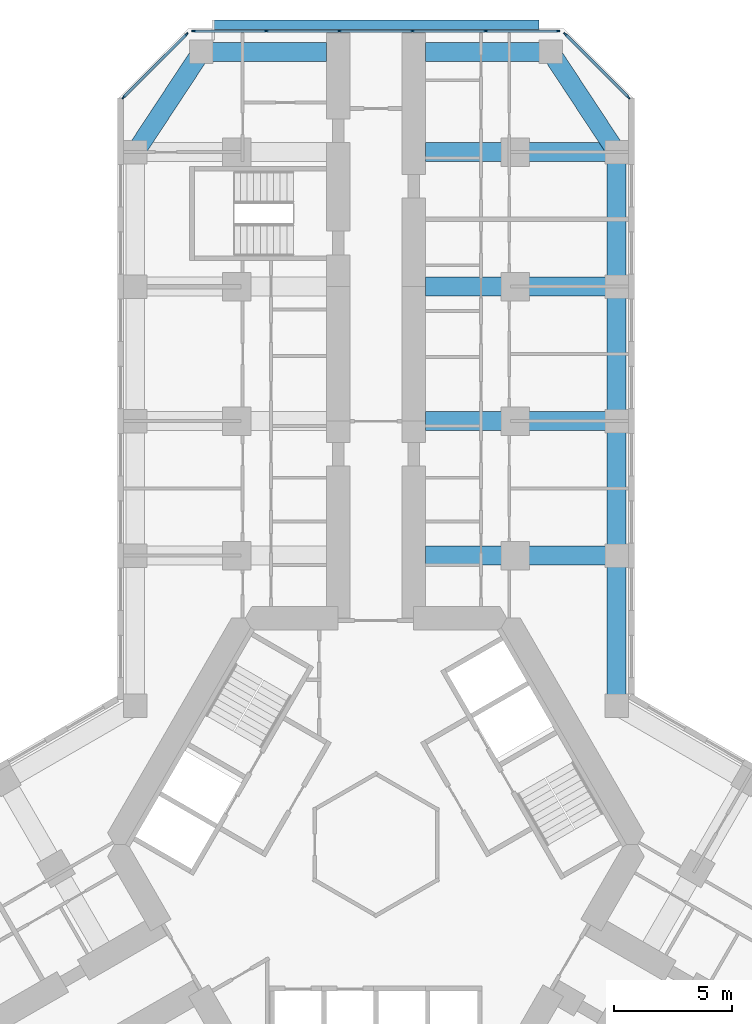
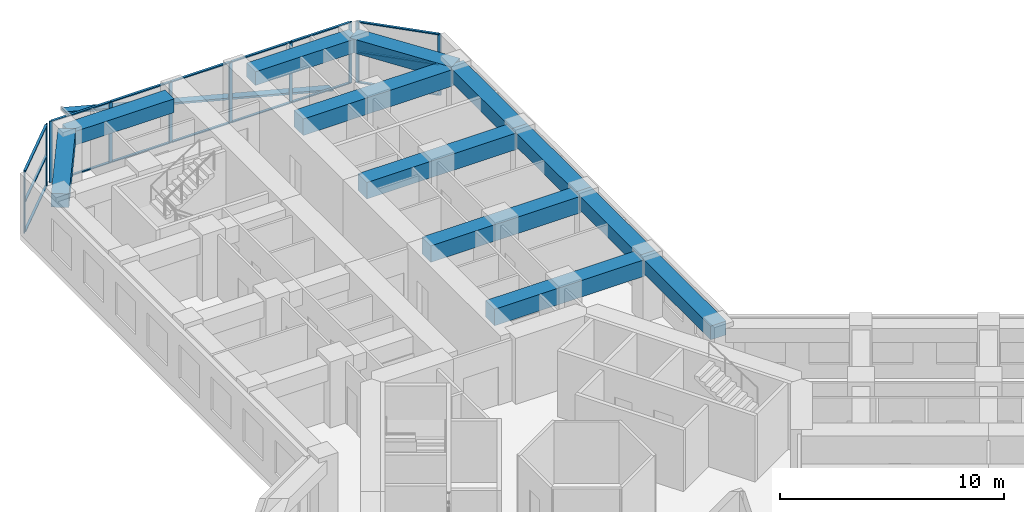
# One storey, part 7 of 21: 27 members, 12 beams, 3 elements without a shape of their own.
"""IFC4 building model written with IfcOpenShell, lengths in metres."""

from ifc_helpers import new_model, si_unit, direction, frame, origin, origin_2d, place, context, subcontext, project, spatial, rectangle, extrude, material, material_profile, profile_set, type_object, element, aggregate, save


model = new_model("IFC4")

# Units and contexts
model_context = context("Model", 3, precision=1e-05, world=origin(), true_north=direction((0.0, 1.0)))
body_context = subcontext(model_context, "Body", "Model", "MODEL_VIEW")
ifc_project = project(units=[si_unit("LENGTHUNIT", "METRE"), si_unit("AREAUNIT", "SQUARE_METRE"), si_unit("VOLUMEUNIT", "CUBIC_METRE"), si_unit("PLANEANGLEUNIT", "RADIAN"), si_unit("MASSUNIT", "GRAM", prefix="KILO")], contexts=[model_context])

# Site, building, storey
site_placement = place(None, origin())
site = spatial("IfcSite", under=ifc_project, at=site_placement, CompositionType="ELEMENT")
building_placement = place(site_placement, origin())
building = spatial("IfcBuilding", under=site, at=building_placement, Name="Kosmar Iwan School Tower", CompositionType="ELEMENT")
storey_placement = place(building_placement, frame((0.0, 0.0, 53.800048828125)))
storey = spatial("IfcBuildingStorey", under=building, at=storey_placement, Name="L12", CompositionType="ELEMENT", Elevation=53.800048828125)

# Member
ifc_material_1 = material(Name="Black anodised aluminium", Category="aluminium")
ifc_material_profile_1 = material_profile(ifc_material_1, rectangle(XDim=0.10009765625, YDim=0.39990234375, at=origin_2d()), Name="FIN 100x400")
ifc_profile_set_1 = profile_set([ifc_material_profile_1], Name="Black anodised aluminium")
member_type_1 = type_object("IfcMemberType", Name="Diagonal fin 100x400", PredefinedType="USERDEFINED", material=ifc_profile_set_1)
member_1_placement = place(storey_placement, frame((6.898193359375, 34.75, -0.150146484375), z_axis=(-0.967599450335, 0.0, 0.252490205179), x_axis=(0.252490205179, 0.0, 0.967599450335)))
element("IfcMember", 1, at=member_1_placement, inside=storey, type_object=member_type_1, Name="Diagonal fin L12-F08", ObjectType="FIN", PredefinedType="USERDEFINED", context=body_context, shape_type="SweptSolid", body=[
    extrude(rectangle(XDim=0.10009765625, YDim=0.39990234375, at=origin_2d()), origin(), (0.0, 0.0, 1.0), 14.25830078125),
])

# Curtain wall, members
ifc_material_2 = material(Name="Dark glass in black aluminium frame", Category="aluminium")
curtain_wall_type_1 = type_object("IfcCurtainWallType", Name="Chamfer curtain wall dark glass", PredefinedType="USERDEFINED", material=ifc_material_2)
curtain_wall_1_placement = place(storey_placement, origin())
curtain_wall_1 = element("IfcCurtainWall", 2, at=curtain_wall_1_placement, inside=storey, type_object=curtain_wall_type_1, Name="Curtain wall L12-F07", ObjectType="FACETED CURTAIN WALL", PredefinedType="USERDEFINED")
ifc_material_3 = material(Name="Black anodised aluminium", Category="aluminium")
ifc_material_profile_2 = material_profile(ifc_material_3, rectangle(XDim=0.06005859375, YDim=0.159912109375, at=origin_2d()), Name="MULLION 60x160")
ifc_profile_set_2 = profile_set([ifc_material_profile_2], Name="Black anodised aluminium")
member_type_2 = type_object("IfcMemberType", Name="Mullion 60x160", PredefinedType="MULLION", material=ifc_profile_set_2)
member_2_placement = place(storey_placement, frame((10.69775390625, 31.675537109375, 0.0), z_axis=(0.0, 0.0, 1.0), x_axis=(-0.707106781187, -0.707106781187, 0.0)))
member_2 = element("IfcMember", 3, at=member_2_placement, type_object=member_type_2, Name="CW2 mullion 1", PredefinedType="MULLION", context=body_context, shape_type="SweptSolid", body=[
    extrude(rectangle(XDim=0.06005859375, YDim=0.159912109375, at=origin_2d()), origin(), (0.0, 0.0, 1.0), 3.349853515625),
])
member_3_placement = place(storey_placement, frame((8.025390625, 34.34765625, 0.0), z_axis=(0.0, 0.0, 1.0), x_axis=(-0.707106781187, -0.707106781187, 0.0)))
member_3 = element("IfcMember", 4, at=member_3_placement, type_object=member_type_2, Name="CW2 mullion 2", PredefinedType="MULLION", context=body_context, shape_type="SweptSolid", body=[
    extrude(rectangle(XDim=0.06005859375, YDim=0.159912109375, at=origin_2d()), origin(), (0.0, 0.0, 1.0), 3.349853515625),
])

ifc_material_4 = material(Name="Dark glass in black aluminium frame", Category="aluminium")
curtain_wall_type_2 = type_object("IfcCurtainWallType", Name="Tower curtain wall dark glass", PredefinedType="USERDEFINED", material=ifc_material_4)
curtain_wall_2_placement = place(storey_placement, origin())
curtain_wall_2 = element("IfcCurtainWall", 5, at=curtain_wall_2_placement, inside=storey, type_object=curtain_wall_type_2, Name="Curtain wall L12-F08", ObjectType="UNITISED CURTAIN WALL", PredefinedType="USERDEFINED")
member_4_placement = place(storey_placement, frame((7.71826171875, 34.47509765625, 0.0), z_axis=(0.0, 0.0, 1.0), x_axis=(0.0, -1.0, 0.0)))
member_4 = element("IfcMember", 6, at=member_4_placement, type_object=member_type_2, Name="CW1 mullion 1", PredefinedType="MULLION", context=body_context, shape_type="SweptSolid", body=[
    extrude(rectangle(XDim=0.06005859375, YDim=0.159912109375, at=origin_2d()), origin(), (0.0, 0.0, 1.0), 3.349853515625),
])
member_5_placement = place(storey_placement, frame((4.64892578125, 34.47509765625, 0.0), z_axis=(0.0, 0.0, 1.0), x_axis=(0.0, -1.0, 0.0)))
member_5 = element("IfcMember", 7, at=member_5_placement, type_object=member_type_2, Name="CW1 mullion 2", PredefinedType="MULLION", context=body_context, shape_type="SweptSolid", body=[
    extrude(rectangle(XDim=0.06005859375, YDim=0.159912109375, at=origin_2d()), origin(), (0.0, 0.0, 1.0), 3.349853515625),
])
member_6_placement = place(storey_placement, frame((1.549560546875, 34.47509765625, 0.0), z_axis=(0.0, 0.0, 1.0), x_axis=(0.0, -1.0, 0.0)))
member_6 = element("IfcMember", 8, at=member_6_placement, type_object=member_type_2, Name="CW1 mullion 3", PredefinedType="MULLION", context=body_context, shape_type="SweptSolid", body=[
    extrude(rectangle(XDim=0.06005859375, YDim=0.159912109375, at=origin_2d()), origin(), (0.0, 0.0, 1.0), 3.349853515625),
])
member_7_placement = place(storey_placement, frame((-1.549560546875, 34.47509765625, 0.0), z_axis=(0.0, 0.0, 1.0), x_axis=(0.0, -1.0, 0.0)))
member_7 = element("IfcMember", 9, at=member_7_placement, type_object=member_type_2, Name="CW1 mullion 4", PredefinedType="MULLION", context=body_context, shape_type="SweptSolid", body=[
    extrude(rectangle(XDim=0.06005859375, YDim=0.159912109375, at=origin_2d()), origin(), (0.0, 0.0, 1.0), 3.349853515625),
])
member_8_placement = place(storey_placement, frame((-4.64892578125, 34.47509765625, 0.0), z_axis=(0.0, 0.0, 1.0), x_axis=(0.0, -1.0, 0.0)))
member_8 = element("IfcMember", 10, at=member_8_placement, type_object=member_type_2, Name="CW1 mullion 5", PredefinedType="MULLION", context=body_context, shape_type="SweptSolid", body=[
    extrude(rectangle(XDim=0.06005859375, YDim=0.159912109375, at=origin_2d()), origin(), (0.0, 0.0, 1.0), 3.349853515625),
])
member_9_placement = place(storey_placement, frame((-7.71826171875, 34.47509765625, 0.0), z_axis=(0.0, 0.0, 1.0), x_axis=(0.0, -1.0, 0.0)))
member_9 = element("IfcMember", 11, at=member_9_placement, type_object=member_type_2, Name="CW1 mullion 6", PredefinedType="MULLION", context=body_context, shape_type="SweptSolid", body=[
    extrude(rectangle(XDim=0.06005859375, YDim=0.159912109375, at=origin_2d()), origin(), (0.0, 0.0, 1.0), 3.349853515625),
])

curtain_wall_3_placement = place(storey_placement, origin())
curtain_wall_3 = element("IfcCurtainWall", 12, at=curtain_wall_3_placement, inside=storey, type_object=curtain_wall_type_1, Name="Curtain wall L12-F09", ObjectType="FACETED CURTAIN WALL", PredefinedType="USERDEFINED")
member_10_placement = place(storey_placement, frame((-8.025390625, 34.34765625, 0.0), z_axis=(0.0, 0.0, 1.0), x_axis=(0.707106781187, -0.707106781187, 0.0)))
member_10 = element("IfcMember", 13, at=member_10_placement, type_object=member_type_2, Name="CW2 mullion 1", PredefinedType="MULLION", context=body_context, shape_type="SweptSolid", body=[
    extrude(rectangle(XDim=0.06005859375, YDim=0.159912109375, at=origin_2d()), origin(), (0.0, 0.0, 1.0), 3.349853515625),
])
member_11_placement = place(storey_placement, frame((-10.69775390625, 31.675537109375, 0.0), z_axis=(0.0, 0.0, 1.0), x_axis=(0.707106781187, -0.707106781187, 0.0)))
member_11 = element("IfcMember", 14, at=member_11_placement, type_object=member_type_2, Name="CW2 mullion 2", PredefinedType="MULLION", context=body_context, shape_type="SweptSolid", body=[
    extrude(rectangle(XDim=0.06005859375, YDim=0.159912109375, at=origin_2d()), origin(), (0.0, 0.0, 1.0), 3.349853515625),
])

# Beams
ifc_material_5 = material(Name="Concrete C50/60", Category="concrete")
ifc_material_profile_3 = material_profile(ifc_material_5, rectangle(XDim=0.800048828125, YDim=0.75, at=origin_2d()), Name="RC 800x750")
ifc_profile_set_3 = profile_set([ifc_material_profile_3], Name="Concrete C50/60")
beam_type_1 = type_object("IfcBeamType", Name="RC edge beam 800x750", PredefinedType="BEAM", material=ifc_profile_set_3)
beam_1_placement = place(storey_placement, frame((10.199951171875, 5.888916015625, 2.974853515625), z_axis=(0.0, 1.0, 0.0), x_axis=(-1.0, 0.0, 0.0)))
element("IfcBeam", 15, at=beam_1_placement, inside=storey, type_object=beam_type_1, Name="Edge beam AR1", PredefinedType="BEAM", context=body_context, shape_type="SweptSolid", body=[
    extrude(rectangle(XDim=0.800048828125, YDim=0.75, at=origin_2d()), origin(), (0.0, 0.0, 1.0), 6.361083984375),
])
for number, where, z_axis, x_axis, name in (
    (16, (10.199951171875, 12.25, 2.974853515625), (0.0, 1.0, 0.0), (-1.0, 0.0, 0.0), "Edge beam AR2"),
    (17, (10.199951171875, 17.949951171875, 2.974853515625), (0.0, 1.0, 0.0), (-1.0, 0.0, 0.0), "Edge beam AR3"),
):
    element("IfcBeam", number, at=place(storey_placement, frame(where, z_axis=z_axis, x_axis=x_axis)), inside=storey, type_object=beam_type_1, Name=name, PredefinedType="BEAM", context=body_context, shape_type="SweptSolid", body=[
        extrude(rectangle(XDim=0.800048828125, YDim=0.75, at=origin_2d()), origin(), (0.0, 0.0, 1.0), 5.699951171875),
    ])
beam_2_placement = place(storey_placement, frame((10.199951171875, 23.64990234375, 2.974853515625), z_axis=(0.0, 1.0, 0.0), x_axis=(-1.0, 0.0, 0.0)))
element("IfcBeam", 18, at=beam_2_placement, inside=storey, type_object=beam_type_1, Name="Edge beam AR4", PredefinedType="BEAM", context=body_context, shape_type="SweptSolid", body=[
    extrude(rectangle(XDim=0.800048828125, YDim=0.75, at=origin_2d()), origin(), (0.0, 0.0, 1.0), 5.7001953125),
])
ifc_material_6 = material(Name="Concrete C50/60", Category="concrete")
ifc_material_profile_4 = material_profile(ifc_material_6, rectangle(XDim=0.800048828125, YDim=0.75, at=origin_2d()), Name="RC 800x750")
ifc_profile_set_4 = profile_set([ifc_material_profile_4], Name="Concrete C50/60")
beam_type_2 = type_object("IfcBeamType", Name="RC tip beam 800x750", PredefinedType="BEAM", material=ifc_profile_set_4)
beam_3_placement = place(storey_placement, frame((-10.199951171875, 29.35009765625, 2.974853515625), z_axis=(0.550164383043, 0.835056376319, 0.0), x_axis=(-0.835056376319, 0.550164383043, 0.0)))
element("IfcBeam", 19, at=beam_3_placement, inside=storey, type_object=beam_type_2, Name="Tip beam AL", PredefinedType="BEAM", context=body_context, shape_type="SweptSolid", body=[
    extrude(rectangle(XDim=0.800048828125, YDim=0.75, at=origin_2d()), origin(), (0.0, 0.0, 1.0), 5.08935546875),
])
beam_4_placement = place(storey_placement, frame((-7.39990234375, 33.60009765625, 2.974853515625), z_axis=(1.0, 0.0, 0.0), x_axis=(0.0, 1.0, 0.0)))
element("IfcBeam", 20, at=beam_4_placement, inside=storey, type_object=beam_type_2, Name="Tip beam AL to corridor wall", PredefinedType="BEAM", context=body_context, shape_type="SweptSolid", body=[
    extrude(rectangle(XDim=0.800048828125, YDim=0.75, at=origin_2d()), origin(), (0.0, 0.0, 1.0), 5.2998046875),
])
beam_5_placement = place(storey_placement, frame((10.199951171875, 29.35009765625, 2.974853515625), z_axis=(-0.550164383043, 0.835056376319, 0.0), x_axis=(-0.835056376319, -0.550164383043, 0.0)))
element("IfcBeam", 21, at=beam_5_placement, inside=storey, type_object=beam_type_2, Name="Tip beam AR", PredefinedType="BEAM", context=body_context, shape_type="SweptSolid", body=[
    extrude(rectangle(XDim=0.800048828125, YDim=0.75, at=origin_2d()), origin(), (0.0, 0.0, 1.0), 5.08935546875),
])
beam_6_placement = place(storey_placement, frame((7.39990234375, 33.60009765625, 2.974853515625), z_axis=(-1.0, 0.0, 0.0), x_axis=(0.0, -1.0, 0.0)))
element("IfcBeam", 22, at=beam_6_placement, inside=storey, type_object=beam_type_2, Name="Tip beam AR to corridor wall", PredefinedType="BEAM", context=body_context, shape_type="SweptSolid", body=[
    extrude(rectangle(XDim=0.800048828125, YDim=0.75, at=origin_2d()), origin(), (0.0, 0.0, 1.0), 5.2998046875),
])
ifc_material_7 = material(Name="Concrete C50/60", Category="concrete")
ifc_material_profile_5 = material_profile(ifc_material_7, rectangle(XDim=0.800048828125, YDim=0.89990234375, at=origin_2d()), Name="RC 800x900")
ifc_profile_set_5 = profile_set([ifc_material_profile_5], Name="Concrete C50/60")
beam_type_3 = type_object("IfcBeamType", Name="RC transverse beam 800x900", PredefinedType="BEAM", material=ifc_profile_set_5)
for number, where, z_axis, x_axis, name in (
    (23, (10.199951171875, 12.25, 2.89990234375), (-1.0, 0.0, 0.0), (0.0, -1.0, 0.0), "Transverse beam AR1"),
    (24, (10.199951171875, 17.949951171875, 2.89990234375), (-1.0, 0.0, 0.0), (0.0, -1.0, 0.0), "Transverse beam AR2"),
    (25, (10.199951171875, 23.64990234375, 2.89990234375), (-1.0, 0.0, 0.0), (0.0, -1.0, 0.0), "Transverse beam AR3"),
    (26, (10.199951171875, 29.35009765625, 2.89990234375), (-1.0, 0.0, 0.0), (0.0, -1.0, 0.0), "Transverse beam AR4"),
):
    element("IfcBeam", number, at=place(storey_placement, frame(where, z_axis=z_axis, x_axis=x_axis)), inside=storey, type_object=beam_type_3, Name=name, PredefinedType="BEAM", context=body_context, shape_type="SweptSolid", body=[
        extrude(rectangle(XDim=0.800048828125, YDim=0.89990234375, at=origin_2d()), origin(), (0.0, 0.0, 1.0), 8.099853515625),
    ])

# Member
ifc_material_8 = material(Name="Black anodised aluminium", Category="aluminium")
ifc_material_profile_6 = material_profile(ifc_material_8, rectangle(XDim=0.1201171875, YDim=0.06005859375, at=origin_2d()), Name="TRANSOM 60x120")
ifc_profile_set_6 = profile_set([ifc_material_profile_6], Name="Black anodised aluminium")
member_type_3 = type_object("IfcMemberType", Name="Transom 60x120", PredefinedType="USERDEFINED", material=ifc_profile_set_6)
member_12_placement = place(storey_placement, frame((10.676513671875, 31.69677734375, 0.030029296875), z_axis=(-0.707139603466, 0.707073957383, 0.0), x_axis=(-0.707073957383, -0.707139603466, 0.0)))
member_12 = element("IfcMember", 27, at=member_12_placement, type_object=member_type_3, Name="CW2 transom 1.1", ObjectType="TRANSOM", PredefinedType="USERDEFINED", context=body_context, shape_type="SweptSolid", body=[
    extrude(rectangle(XDim=0.1201171875, YDim=0.06005859375, at=origin_2d()), origin(), (0.0, 0.0, 1.0), 3.718994140625),
])

member_13_placement = place(storey_placement, frame((10.676513671875, 31.69677734375, 1.675048828125), z_axis=(-0.707139603466, 0.707073957383, 0.0), x_axis=(-0.707073957383, -0.707139603466, 0.0)))
member_13 = element("IfcMember", 28, at=member_13_placement, type_object=member_type_3, Name="CW2 transom 1.2", ObjectType="TRANSOM", PredefinedType="USERDEFINED", context=body_context, shape_type="SweptSolid", body=[
    extrude(rectangle(XDim=0.1201171875, YDim=0.06005859375, at=origin_2d()), origin(), (0.0, 0.0, 1.0), 3.718994140625),
])

member_14_placement = place(storey_placement, frame((10.676513671875, 31.69677734375, 3.320068359375), z_axis=(-0.707139603466, 0.707073957383, 0.0), x_axis=(-0.707073957383, -0.707139603466, 0.0)))
member_14 = element("IfcMember", 29, at=member_14_placement, type_object=member_type_3, Name="CW2 transom 1.3", ObjectType="TRANSOM", PredefinedType="USERDEFINED", context=body_context, shape_type="SweptSolid", body=[
    extrude(rectangle(XDim=0.1201171875, YDim=0.06005859375, at=origin_2d()), origin(), (0.0, 0.0, 1.0), 3.718994140625),
])

aggregate(curtain_wall_1, [member_2, member_3, member_12, member_13, member_14])

member_15_placement = place(storey_placement, frame((7.688232421875, 34.47509765625, 0.030029296875), z_axis=(-1.0, 0.0, 0.0), x_axis=(0.0, -1.0, 0.0)))
member_15 = element("IfcMember", 30, at=member_15_placement, type_object=member_type_3, Name="CW1 transom 1.1", ObjectType="TRANSOM", PredefinedType="USERDEFINED", context=body_context, shape_type="SweptSolid", body=[
    extrude(rectangle(XDim=0.1201171875, YDim=0.06005859375, at=origin_2d()), origin(), (0.0, 0.0, 1.0), 3.00927734375),
])

member_16_placement = place(storey_placement, frame((7.688232421875, 34.47509765625, 3.320068359375), z_axis=(-1.0, 0.0, 0.0), x_axis=(0.0, -1.0, 0.0)))
member_16 = element("IfcMember", 31, at=member_16_placement, type_object=member_type_3, Name="CW1 transom 1.2", ObjectType="TRANSOM", PredefinedType="USERDEFINED", context=body_context, shape_type="SweptSolid", body=[
    extrude(rectangle(XDim=0.1201171875, YDim=0.06005859375, at=origin_2d()), origin(), (0.0, 0.0, 1.0), 3.00927734375),
])

member_17_placement = place(storey_placement, frame((4.618896484375, 34.47509765625, 0.030029296875), z_axis=(-1.0, 0.0, 0.0), x_axis=(0.0, -1.0, 0.0)))
member_17 = element("IfcMember", 32, at=member_17_placement, type_object=member_type_3, Name="CW1 transom 2.1", ObjectType="TRANSOM", PredefinedType="USERDEFINED", context=body_context, shape_type="SweptSolid", body=[
    extrude(rectangle(XDim=0.1201171875, YDim=0.06005859375, at=origin_2d()), origin(), (0.0, 0.0, 1.0), 3.039306640625),
])

member_18_placement = place(storey_placement, frame((4.618896484375, 34.47509765625, 3.320068359375), z_axis=(-1.0, 0.0, 0.0), x_axis=(0.0, -1.0, 0.0)))
member_18 = element("IfcMember", 33, at=member_18_placement, type_object=member_type_3, Name="CW1 transom 2.2", ObjectType="TRANSOM", PredefinedType="USERDEFINED", context=body_context, shape_type="SweptSolid", body=[
    extrude(rectangle(XDim=0.1201171875, YDim=0.06005859375, at=origin_2d()), origin(), (0.0, 0.0, 1.0), 3.039306640625),
])

member_19_placement = place(storey_placement, frame((1.51953125, 34.47509765625, 0.030029296875), z_axis=(-1.0, 0.0, 0.0), x_axis=(0.0, -1.0, 0.0)))
member_19 = element("IfcMember", 34, at=member_19_placement, type_object=member_type_3, Name="CW1 transom 3.1", ObjectType="TRANSOM", PredefinedType="USERDEFINED", context=body_context, shape_type="SweptSolid", body=[
    extrude(rectangle(XDim=0.1201171875, YDim=0.06005859375, at=origin_2d()), origin(), (0.0, 0.0, 1.0), 3.0390625),
])

member_20_placement = place(storey_placement, frame((1.51953125, 34.47509765625, 3.320068359375), z_axis=(-1.0, 0.0, 0.0), x_axis=(0.0, -1.0, 0.0)))
member_20 = element("IfcMember", 35, at=member_20_placement, type_object=member_type_3, Name="CW1 transom 3.2", ObjectType="TRANSOM", PredefinedType="USERDEFINED", context=body_context, shape_type="SweptSolid", body=[
    extrude(rectangle(XDim=0.1201171875, YDim=0.06005859375, at=origin_2d()), origin(), (0.0, 0.0, 1.0), 3.0390625),
])

member_21_placement = place(storey_placement, frame((-1.57958984375, 34.47509765625, 0.030029296875), z_axis=(-1.0, 0.0, 0.0), x_axis=(0.0, -1.0, 0.0)))
member_21 = element("IfcMember", 36, at=member_21_placement, type_object=member_type_3, Name="CW1 transom 4.1", ObjectType="TRANSOM", PredefinedType="USERDEFINED", context=body_context, shape_type="SweptSolid", body=[
    extrude(rectangle(XDim=0.1201171875, YDim=0.06005859375, at=origin_2d()), origin(), (0.0, 0.0, 1.0), 3.039306640625),
])

member_22_placement = place(storey_placement, frame((-1.57958984375, 34.47509765625, 3.320068359375), z_axis=(-1.0, 0.0, 0.0), x_axis=(0.0, -1.0, 0.0)))
member_22 = element("IfcMember", 37, at=member_22_placement, type_object=member_type_3, Name="CW1 transom 4.2", ObjectType="TRANSOM", PredefinedType="USERDEFINED", context=body_context, shape_type="SweptSolid", body=[
    extrude(rectangle(XDim=0.1201171875, YDim=0.06005859375, at=origin_2d()), origin(), (0.0, 0.0, 1.0), 3.039306640625),
])

member_23_placement = place(storey_placement, frame((-4.678955078125, 34.47509765625, 0.030029296875), z_axis=(-1.0, 0.0, 0.0), x_axis=(0.0, -1.0, 0.0)))
member_23 = element("IfcMember", 38, at=member_23_placement, type_object=member_type_3, Name="CW1 transom 5.1", ObjectType="TRANSOM", PredefinedType="USERDEFINED", context=body_context, shape_type="SweptSolid", body=[
    extrude(rectangle(XDim=0.1201171875, YDim=0.06005859375, at=origin_2d()), origin(), (0.0, 0.0, 1.0), 3.00927734375),
])

member_24_placement = place(storey_placement, frame((-4.678955078125, 34.47509765625, 3.320068359375), z_axis=(-1.0, 0.0, 0.0), x_axis=(0.0, -1.0, 0.0)))
member_24 = element("IfcMember", 39, at=member_24_placement, type_object=member_type_3, Name="CW1 transom 5.2", ObjectType="TRANSOM", PredefinedType="USERDEFINED", context=body_context, shape_type="SweptSolid", body=[
    extrude(rectangle(XDim=0.1201171875, YDim=0.06005859375, at=origin_2d()), origin(), (0.0, 0.0, 1.0), 3.00927734375),
])

aggregate(curtain_wall_2, [member_4, member_5, member_6, member_7, member_8, member_9, member_15, member_16, member_17, member_18, member_19, member_20, member_21, member_22, member_23, member_24])

member_25_placement = place(storey_placement, frame((-8.046630859375, 34.326416015625, 0.030029296875), z_axis=(-0.707139603466, -0.707073957383, 0.0), x_axis=(0.707073957383, -0.707139603466, 0.0)))
member_25 = element("IfcMember", 40, at=member_25_placement, type_object=member_type_3, Name="CW2 transom 1.1", ObjectType="TRANSOM", PredefinedType="USERDEFINED", context=body_context, shape_type="SweptSolid", body=[
    extrude(rectangle(XDim=0.1201171875, YDim=0.06005859375, at=origin_2d()), origin(), (0.0, 0.0, 1.0), 3.718994140625),
])

member_26_placement = place(storey_placement, frame((-8.046630859375, 34.326416015625, 1.675048828125), z_axis=(-0.707139603466, -0.707073957383, 0.0), x_axis=(0.707073957383, -0.707139603466, 0.0)))
member_26 = element("IfcMember", 41, at=member_26_placement, type_object=member_type_3, Name="CW2 transom 1.2", ObjectType="TRANSOM", PredefinedType="USERDEFINED", context=body_context, shape_type="SweptSolid", body=[
    extrude(rectangle(XDim=0.1201171875, YDim=0.06005859375, at=origin_2d()), origin(), (0.0, 0.0, 1.0), 3.718994140625),
])

member_27_placement = place(storey_placement, frame((-8.046630859375, 34.326416015625, 3.320068359375), z_axis=(-0.707139603466, -0.707073957383, 0.0), x_axis=(0.707073957383, -0.707139603466, 0.0)))
member_27 = element("IfcMember", 42, at=member_27_placement, type_object=member_type_3, Name="CW2 transom 1.3", ObjectType="TRANSOM", PredefinedType="USERDEFINED", context=body_context, shape_type="SweptSolid", body=[
    extrude(rectangle(XDim=0.1201171875, YDim=0.06005859375, at=origin_2d()), origin(), (0.0, 0.0, 1.0), 3.718994140625),
])

aggregate(curtain_wall_3, [member_10, member_11, member_25, member_26, member_27])

save(model, "model.ifc")
